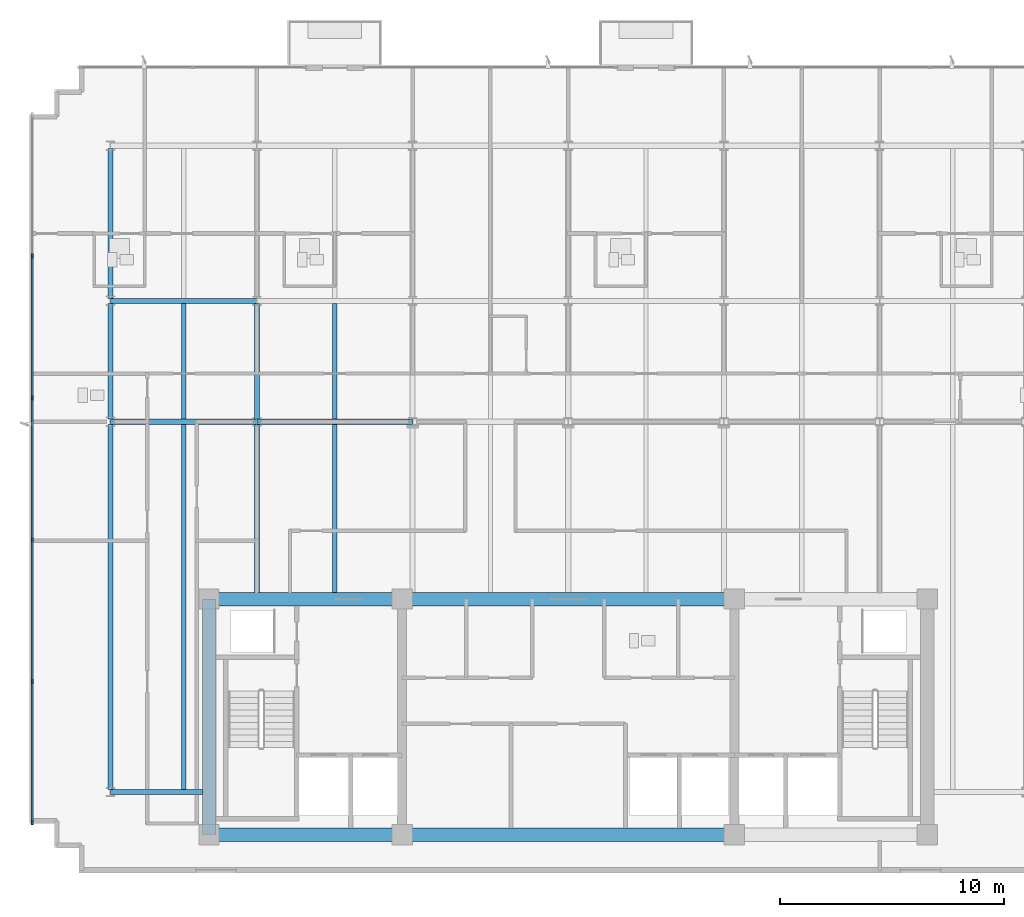
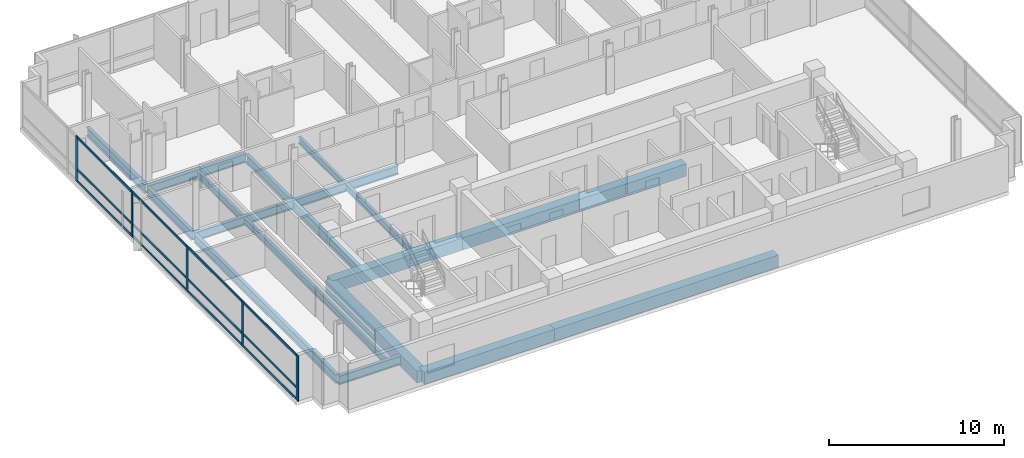
# One storey, part 2 of 15: 18 beams, 17 members, 1 element without a shape of its own.
"""IFC4 building model written with IfcOpenShell, lengths in metres."""

from ifc_helpers import new_model, si_unit, direction, frame, origin, origin_2d, place, context, subcontext, project, spatial, rectangle, i_section, extrude, material, material_profile, profile_set, type_object, element, aggregate, save


model = new_model("IFC4")

# Units and contexts
model_context = context("Model", 3, precision=1e-05, world=origin(), true_north=direction((0.0, 1.0)))
body_context = subcontext(model_context, "Body", "Model", "MODEL_VIEW")
ifc_project = project(units=[si_unit("LENGTHUNIT", "METRE"), si_unit("AREAUNIT", "SQUARE_METRE"), si_unit("VOLUMEUNIT", "CUBIC_METRE"), si_unit("PLANEANGLEUNIT", "RADIAN"), si_unit("MASSUNIT", "GRAM", prefix="KILO")], contexts=[model_context])

# Site, building, storey
site_placement = place(None, origin())
site = spatial("IfcSite", under=ifc_project, at=site_placement, CompositionType="ELEMENT")
building_placement = place(site_placement, origin())
building = spatial("IfcBuilding", under=site, at=building_placement, Name="Solmavex Isthmus Hotel", CompositionType="ELEMENT")
storey_placement = place(building_placement, frame((0.0, 0.0, 259.199951171875)))
storey = spatial("IfcBuildingStorey", under=building, at=storey_placement, Name="L70", CompositionType="ELEMENT", Elevation=259.199951171875)

# Beams
ifc_material_1 = material(Name="Steel ASTM A992 Grade 50", Category="steel")
ifc_material_profile_1 = material_profile(ifc_material_1, i_section(OverallWidth=0.1904296875, OverallDepth=0.456787109375, WebThickness=0.009033203125, FlangeThickness=0.014404296875, FilletRadius=0.0126953125, at=origin_2d()), Name="W18X50")
ifc_profile_set_1 = profile_set([ifc_material_profile_1], Name="Steel ASTM A992 Grade 50")
beam_type_1 = type_object("IfcBeamType", Name="BM-BJ-W18X50", PredefinedType="JOIST", material=ifc_profile_set_1)
beam_1_placement = place(storey_placement, frame((-17.135986328125, -10.98486328125, -0.48828125), z_axis=(0.0, 1.0, 0.0), x_axis=(-1.0, 0.0, 0.0)))
element("IfcBeam", 1, at=beam_1_placement, inside=storey, type_object=beam_type_1, Name="Secondary Floor Joist L70-J01", PredefinedType="JOIST", context=body_context, shape_type="SweptSolid", body=[
    extrude(i_section(OverallWidth=0.1904296875, OverallDepth=0.456787109375, WebThickness=0.009033203125, FlangeThickness=0.014404296875, FilletRadius=0.0126953125, at=origin_2d()), origin(), (0.0, 0.0, 1.0), 16.27099609375),
])
beam_2_placement = place(storey_placement, frame((-17.135986328125, 5.513916015625, -0.48828125), z_axis=(0.0, 1.0, 0.0), x_axis=(-1.0, 0.0, 0.0)))
element("IfcBeam", 2, at=beam_2_placement, inside=storey, type_object=beam_type_1, Name="Secondary Floor Joist L70-J02", PredefinedType="JOIST", context=body_context, shape_type="SweptSolid", body=[
    extrude(i_section(OverallWidth=0.1904296875, OverallDepth=0.456787109375, WebThickness=0.009033203125, FlangeThickness=0.014404296875, FilletRadius=0.0126953125, at=origin_2d()), origin(), (0.0, 0.0, 1.0), 5.16015625),
])
beam_3_placement = place(storey_placement, frame((-10.404052734375, -2.199951171875, -0.48828125), z_axis=(0.0, 1.0, 0.0), x_axis=(-1.0, 0.0, 0.0)))
element("IfcBeam", 3, at=beam_3_placement, inside=storey, type_object=beam_type_1, Name="Secondary Floor Joist L70-J04", PredefinedType="JOIST", context=body_context, shape_type="SweptSolid", body=[
    extrude(i_section(OverallWidth=0.1904296875, OverallDepth=0.456787109375, WebThickness=0.009033203125, FlangeThickness=0.014404296875, FilletRadius=0.0126953125, at=origin_2d()), origin(), (0.0, 0.0, 1.0), 7.486083984375),
])
beam_4_placement = place(storey_placement, frame((-10.404052734375, 5.513916015625, -0.48828125), z_axis=(0.0, 1.0, 0.0), x_axis=(-1.0, 0.0, 0.0)))
element("IfcBeam", 4, at=beam_4_placement, inside=storey, type_object=beam_type_1, Name="Secondary Floor Joist L70-J05", PredefinedType="JOIST", context=body_context, shape_type="SweptSolid", body=[
    extrude(i_section(OverallWidth=0.1904296875, OverallDepth=0.456787109375, WebThickness=0.009033203125, FlangeThickness=0.014404296875, FilletRadius=0.0126953125, at=origin_2d()), origin(), (0.0, 0.0, 1.0), 5.16015625),
])
ifc_material_profile_2 = material_profile(ifc_material_1, i_section(OverallWidth=0.227783203125, OverallDepth=0.602783203125, WebThickness=0.010498046875, FlangeThickness=0.014892578125, FilletRadius=0.01513671875, at=origin_2d()), Name="W24X68")
ifc_profile_set_2 = profile_set([ifc_material_profile_2], Name="Steel ASTM A992 Grade 50")
beam_type_2 = type_object("IfcBeamType", Name="BM-BM-W24X68", PredefinedType="BEAM", material=ifc_profile_set_2)
beam_5_placement = place(storey_placement, frame((-20.39990234375, 5.39990234375, -0.561279296875), z_axis=(1.0, 0.0, 0.0), x_axis=(0.0, 1.0, 0.0)))
element("IfcBeam", 5, at=beam_5_placement, inside=storey, type_object=beam_type_2, Name="Floor Girder L70-UG03", PredefinedType="BEAM", context=body_context, shape_type="SweptSolid", body=[
    extrude(i_section(OverallWidth=0.227783203125, OverallDepth=0.602783203125, WebThickness=0.010498046875, FlangeThickness=0.014892578125, FilletRadius=0.01513671875, at=origin_2d()), origin(), (0.0, 0.0, 1.0), 6.52783203125),
])
beam_6_placement = place(storey_placement, frame((-13.8720703125, 5.39990234375, -0.561279296875), z_axis=(1.0, 0.0, 0.0), x_axis=(0.0, 1.0, 0.0)))
element("IfcBeam", 6, at=beam_6_placement, inside=storey, type_object=beam_type_2, Name="Floor Girder L70-UG04", PredefinedType="BEAM", context=body_context, shape_type="SweptSolid", body=[
    extrude(i_section(OverallWidth=0.227783203125, OverallDepth=0.602783203125, WebThickness=0.010498046875, FlangeThickness=0.014892578125, FilletRadius=0.01513671875, at=origin_2d()), origin(), (0.0, 0.0, 1.0), 6.93603515625),
])
beam_7_placement = place(storey_placement, frame((-20.39990234375, 10.7880859375, -0.561279296875), z_axis=(1.0, 0.0, 0.0), x_axis=(0.0, 1.0, 0.0)))
element("IfcBeam", 7, at=beam_7_placement, inside=storey, type_object=beam_type_2, Name="Floor Girder L70-UG09", PredefinedType="BEAM", context=body_context, shape_type="SweptSolid", body=[
    extrude(i_section(OverallWidth=0.227783203125, OverallDepth=0.602783203125, WebThickness=0.010498046875, FlangeThickness=0.014892578125, FilletRadius=0.01513671875, at=origin_2d()), origin(), (0.0, 0.0, 1.0), 6.52783203125),
])
beam_8_placement = place(storey_placement, frame((-13.8720703125, -2.199951171875, -0.561279296875), z_axis=(0.0, 1.0, 0.0), x_axis=(-1.0, 0.0, 0.0)))
element("IfcBeam", 8, at=beam_8_placement, inside=storey, type_object=beam_type_2, Name="Floor Beam L70-VG24", PredefinedType="BEAM", context=body_context, shape_type="SweptSolid", body=[
    extrude(i_section(OverallWidth=0.227783203125, OverallDepth=0.602783203125, WebThickness=0.010498046875, FlangeThickness=0.014892578125, FilletRadius=0.01513671875, at=origin_2d()), origin(), (0.0, 0.0, 1.0), 7.486083984375),
])
beam_9_placement = place(storey_placement, frame((-13.8720703125, 5.513916015625, -0.561279296875), z_axis=(0.0, 1.0, 0.0), x_axis=(-1.0, 0.0, 0.0)))
element("IfcBeam", 9, at=beam_9_placement, inside=storey, type_object=beam_type_2, Name="Floor Beam L70-VG25", PredefinedType="BEAM", context=body_context, shape_type="SweptSolid", body=[
    extrude(i_section(OverallWidth=0.227783203125, OverallDepth=0.602783203125, WebThickness=0.010498046875, FlangeThickness=0.014892578125, FilletRadius=0.01513671875, at=origin_2d()), origin(), (0.0, 0.0, 1.0), 5.16015625),
])
ifc_material_2 = material(Name="Concrete C50/60", Category="concrete")
ifc_material_profile_3 = material_profile(ifc_material_2, rectangle(XDim=0.60009765625, YDim=0.85009765625, at=origin_2d()), Name="RC600X850")
ifc_profile_set_3 = profile_set([ifc_material_profile_3], Name="Concrete C50/60")
beam_type_3 = type_object("IfcBeamType", Name="BM-CB-600X850", PredefinedType="BEAM", material=ifc_profile_set_3)
beam_10_placement = place(storey_placement, frame((-16.0, -13.0, -0.68505859375), z_axis=(1.0, 0.0, 0.0), x_axis=(0.0, 1.0, 0.0)))
element("IfcBeam", 10, at=beam_10_placement, inside=storey, type_object=beam_type_3, Name="Core Coupling Beam L70-CB1", PredefinedType="BEAM", context=body_context, shape_type="SweptSolid", body=[
    extrude(rectangle(XDim=0.60009765625, YDim=0.85009765625, at=origin_2d()), origin(), (0.0, 0.0, 1.0), 8.60009765625),
])
beam_11_placement = place(storey_placement, frame((-7.39990234375, -13.0, -0.68505859375), z_axis=(1.0, 0.0, 0.0), x_axis=(0.0, 1.0, 0.0)))
element("IfcBeam", 11, at=beam_11_placement, inside=storey, type_object=beam_type_3, Name="Core Coupling Beam L70-CB2", PredefinedType="BEAM", context=body_context, shape_type="SweptSolid", body=[
    extrude(rectangle(XDim=0.60009765625, YDim=0.85009765625, at=origin_2d()), origin(), (0.0, 0.0, 1.0), 14.7998046875),
])
beam_12_placement = place(storey_placement, frame((-16.0, -2.5, -0.68505859375), z_axis=(1.0, 0.0, 0.0), x_axis=(0.0, 1.0, 0.0)))
element("IfcBeam", 12, at=beam_12_placement, inside=storey, type_object=beam_type_3, Name="Core Coupling Beam L70-CB4", PredefinedType="BEAM", context=body_context, shape_type="SweptSolid", body=[
    extrude(rectangle(XDim=0.60009765625, YDim=0.85009765625, at=origin_2d()), origin(), (0.0, 0.0, 1.0), 8.60009765625),
])
beam_13_placement = place(storey_placement, frame((-7.39990234375, -2.5, -0.68505859375), z_axis=(1.0, 0.0, 0.0), x_axis=(0.0, 1.0, 0.0)))
element("IfcBeam", 13, at=beam_13_placement, inside=storey, type_object=beam_type_3, Name="Core Coupling Beam L70-CB5", PredefinedType="BEAM", context=body_context, shape_type="SweptSolid", body=[
    extrude(rectangle(XDim=0.60009765625, YDim=0.85009765625, at=origin_2d()), origin(), (0.0, 0.0, 1.0), 14.7998046875),
])
beam_14_placement = place(storey_placement, frame((-16.0, -13.0, -0.68505859375), z_axis=(0.0, 1.0, 0.0), x_axis=(-1.0, 0.0, 0.0)))
element("IfcBeam", 14, at=beam_14_placement, inside=storey, type_object=beam_type_3, Name="Core Coupling Beam L70-CB7", PredefinedType="BEAM", context=body_context, shape_type="SweptSolid", body=[
    extrude(rectangle(XDim=0.60009765625, YDim=0.85009765625, at=origin_2d()), origin(), (0.0, 0.0, 1.0), 10.5),
])
ifc_material_profile_4 = material_profile(ifc_material_1, i_section(OverallWidth=0.230224609375, OverallDepth=0.617431640625, WebThickness=0.01318359375, FlangeThickness=0.022216796875, FilletRadius=0.01513671875, at=origin_2d()), Name="W24X94")
ifc_profile_set_4 = profile_set([ifc_material_profile_4], Name="Steel ASTM A992 Grade 50")
beam_type_4 = type_object("IfcBeamType", Name="BM-SP-W24X94", PredefinedType="SPANDREL", material=ifc_profile_set_4)
beam_15_placement = place(storey_placement, frame((-20.39990234375, -11.10009765625, -0.568603515625), z_axis=(1.0, 0.0, 0.0), x_axis=(0.0, 1.0, 0.0)))
element("IfcBeam", 15, at=beam_15_placement, inside=storey, type_object=beam_type_4, Name="Floor Girder L70-UG01", PredefinedType="SPANDREL", context=body_context, shape_type="SweptSolid", body=[
    extrude(i_section(OverallWidth=0.230224609375, OverallDepth=0.617431640625, WebThickness=0.01318359375, FlangeThickness=0.022216796875, FilletRadius=0.01513671875, at=origin_2d()), origin(), (0.0, 0.0, 1.0), 4.099853515625),
])
beam_16_placement = place(storey_placement, frame((-20.39990234375, -10.98486328125, -0.568603515625), z_axis=(0.0, 1.0, 0.0), x_axis=(-1.0, 0.0, 0.0)))
element("IfcBeam", 16, at=beam_16_placement, inside=storey, type_object=beam_type_4, Name="Floor Beam L70-VG21", PredefinedType="SPANDREL", context=body_context, shape_type="SweptSolid", body=[
    extrude(i_section(OverallWidth=0.230224609375, OverallDepth=0.617431640625, WebThickness=0.01318359375, FlangeThickness=0.022216796875, FilletRadius=0.01513671875, at=origin_2d()), origin(), (0.0, 0.0, 1.0), 16.27099609375),
])
beam_17_placement = place(storey_placement, frame((-20.39990234375, 5.513916015625, -0.568603515625), z_axis=(0.0, 1.0, 0.0), x_axis=(-1.0, 0.0, 0.0)))
element("IfcBeam", 17, at=beam_17_placement, inside=storey, type_object=beam_type_4, Name="Floor Beam L70-VG22", PredefinedType="SPANDREL", context=body_context, shape_type="SweptSolid", body=[
    extrude(i_section(OverallWidth=0.230224609375, OverallDepth=0.617431640625, WebThickness=0.01318359375, FlangeThickness=0.022216796875, FilletRadius=0.01513671875, at=origin_2d()), origin(), (0.0, 0.0, 1.0), 5.16015625),
])
beam_18_placement = place(storey_placement, frame((-20.39990234375, 10.90185546875, -0.568603515625), z_axis=(0.0, 1.0, 0.0), x_axis=(-1.0, 0.0, 0.0)))
element("IfcBeam", 18, at=beam_18_placement, inside=storey, type_object=beam_type_4, Name="Floor Beam L70-VG23", PredefinedType="SPANDREL", context=body_context, shape_type="SweptSolid", body=[
    extrude(i_section(OverallWidth=0.230224609375, OverallDepth=0.617431640625, WebThickness=0.01318359375, FlangeThickness=0.022216796875, FilletRadius=0.01513671875, at=origin_2d()), origin(), (0.0, 0.0, 1.0), 6.682861328125),
])

# Curtain wall, members
ifc_material_3 = material(Name="Aluminium alloy 6063-T6", Category="aluminium")
curtain_wall_type = type_object("IfcCurtainWallType", Name="CW-SYS-04", PredefinedType="NOTDEFINED", material=ifc_material_3)
curtain_wall_placement = place(storey_placement, origin())
curtain_wall = element("IfcCurtainWall", 19, at=curtain_wall_placement, inside=storey, type_object=curtain_wall_type, Name="Stick Curtain Wall CWL-L70-W1", PredefinedType="NOTDEFINED")
ifc_material_profile_5 = material_profile(ifc_material_3, rectangle(XDim=0.074951171875, YDim=0.199951171875, at=origin_2d()), Name="CWM-75X200")
ifc_profile_set_5 = profile_set([ifc_material_profile_5], Name="Aluminium alloy 6063-T6")
member_type_1 = type_object("IfcMemberType", Name="CW-SYS-04-MUL", PredefinedType="MULLION", material=ifc_profile_set_5)
member_1_placement = place(storey_placement, frame((-23.8798828125, -12.46240234375, 0.0), z_axis=(0.0, 0.0, 1.0), x_axis=(-1.0, 0.0, 0.0)))
member_1 = element("IfcMember", 20, at=member_1_placement, type_object=member_type_1, Name="CW-04 mullion 1", PredefinedType="MULLION", context=body_context, shape_type="SweptSolid", body=[
    extrude(rectangle(XDim=0.074951171875, YDim=0.199951171875, at=origin_2d()), origin(), (0.0, 0.0, 1.0), 3.18994140625),
])
member_2_placement = place(storey_placement, frame((-23.8798828125, -6.179931640625, 0.0), z_axis=(0.0, 0.0, 1.0), x_axis=(-1.0, 0.0, 0.0)))
member_2 = element("IfcMember", 21, at=member_2_placement, type_object=member_type_1, Name="CW-04 mullion 2", PredefinedType="MULLION", context=body_context, shape_type="SweptSolid", body=[
    extrude(rectangle(XDim=0.074951171875, YDim=0.199951171875, at=origin_2d()), origin(), (0.0, 0.0, 1.0), 3.18994140625),
])
member_3_placement = place(storey_placement, frame((-23.8798828125, 0.139892578125, 0.0), z_axis=(0.0, 0.0, 1.0), x_axis=(-1.0, 0.0, 0.0)))
member_3 = element("IfcMember", 22, at=member_3_placement, type_object=member_type_1, Name="CW-04 mullion 3", PredefinedType="MULLION", context=body_context, shape_type="SweptSolid", body=[
    extrude(rectangle(XDim=0.074951171875, YDim=0.199951171875, at=origin_2d()), origin(), (0.0, 0.0, 1.0), 3.18994140625),
])
member_4_placement = place(storey_placement, frame((-23.8798828125, 6.4599609375, 0.0), z_axis=(0.0, 0.0, 1.0), x_axis=(-1.0, 0.0, 0.0)))
member_4 = element("IfcMember", 23, at=member_4_placement, type_object=member_type_1, Name="CW-04 mullion 4", PredefinedType="MULLION", context=body_context, shape_type="SweptSolid", body=[
    extrude(rectangle(XDim=0.074951171875, YDim=0.199951171875, at=origin_2d()), origin(), (0.0, 0.0, 1.0), 3.18994140625),
])
member_5_placement = place(storey_placement, frame((-23.8798828125, 12.780029296875, 0.0), z_axis=(0.0, 0.0, 1.0), x_axis=(-1.0, 0.0, 0.0)))
member_5 = element("IfcMember", 24, at=member_5_placement, type_object=member_type_1, Name="CW-04 mullion 5", PredefinedType="MULLION", context=body_context, shape_type="SweptSolid", body=[
    extrude(rectangle(XDim=0.074951171875, YDim=0.199951171875, at=origin_2d()), origin(), (0.0, 0.0, 1.0), 3.18994140625),
])
ifc_material_profile_6 = material_profile(ifc_material_3, rectangle(XDim=0.074951171875, YDim=0.14990234375, at=origin_2d()), Name="CWT-75X150")
ifc_profile_set_6 = profile_set([ifc_material_profile_6], Name="Aluminium alloy 6063-T6")
member_type_2 = type_object("IfcMemberType", Name="CW-SYS-04-TRN", PredefinedType="USERDEFINED", material=ifc_profile_set_6)
member_6_placement = place(storey_placement, frame((-23.8798828125, -12.425048828125, 0.074951171875), z_axis=(0.0, 1.0, 0.0), x_axis=(-1.0, 0.0, 0.0)))
member_6 = element("IfcMember", 25, at=member_6_placement, type_object=member_type_2, Name="CW-04 transom 1.1", ObjectType="TRANSOM", PredefinedType="USERDEFINED", context=body_context, shape_type="SweptSolid", body=[
    extrude(rectangle(XDim=0.074951171875, YDim=0.14990234375, at=origin_2d()), origin(), (0.0, 0.0, 1.0), 6.20751953125),
])
member_7_placement = place(storey_placement, frame((-23.8798828125, -12.425048828125, 0.900146484375), z_axis=(0.0, 1.0, 0.0), x_axis=(-1.0, 0.0, 0.0)))
member_7 = element("IfcMember", 26, at=member_7_placement, type_object=member_type_2, Name="CW-04 transom 1.2", ObjectType="TRANSOM", PredefinedType="USERDEFINED", context=body_context, shape_type="SweptSolid", body=[
    extrude(rectangle(XDim=0.074951171875, YDim=0.14990234375, at=origin_2d()), origin(), (0.0, 0.0, 1.0), 6.20751953125),
])
member_8_placement = place(storey_placement, frame((-23.8798828125, -12.425048828125, 3.114990234375), z_axis=(0.0, 1.0, 0.0), x_axis=(-1.0, 0.0, 0.0)))
member_8 = element("IfcMember", 27, at=member_8_placement, type_object=member_type_2, Name="CW-04 transom 1.3", ObjectType="TRANSOM", PredefinedType="USERDEFINED", context=body_context, shape_type="SweptSolid", body=[
    extrude(rectangle(XDim=0.074951171875, YDim=0.14990234375, at=origin_2d()), origin(), (0.0, 0.0, 1.0), 6.20751953125),
])
member_9_placement = place(storey_placement, frame((-23.8798828125, -6.142578125, 0.074951171875), z_axis=(0.0, 1.0, 0.0), x_axis=(-1.0, 0.0, 0.0)))
member_9 = element("IfcMember", 28, at=member_9_placement, type_object=member_type_2, Name="CW-04 transom 2.1", ObjectType="TRANSOM", PredefinedType="USERDEFINED", context=body_context, shape_type="SweptSolid", body=[
    extrude(rectangle(XDim=0.074951171875, YDim=0.14990234375, at=origin_2d()), origin(), (0.0, 0.0, 1.0), 6.2451171875),
])
member_10_placement = place(storey_placement, frame((-23.8798828125, -6.142578125, 0.900146484375), z_axis=(0.0, 1.0, 0.0), x_axis=(-1.0, 0.0, 0.0)))
member_10 = element("IfcMember", 29, at=member_10_placement, type_object=member_type_2, Name="CW-04 transom 2.2", ObjectType="TRANSOM", PredefinedType="USERDEFINED", context=body_context, shape_type="SweptSolid", body=[
    extrude(rectangle(XDim=0.074951171875, YDim=0.14990234375, at=origin_2d()), origin(), (0.0, 0.0, 1.0), 6.2451171875),
])
member_11_placement = place(storey_placement, frame((-23.8798828125, -6.142578125, 3.114990234375), z_axis=(0.0, 1.0, 0.0), x_axis=(-1.0, 0.0, 0.0)))
member_11 = element("IfcMember", 30, at=member_11_placement, type_object=member_type_2, Name="CW-04 transom 2.3", ObjectType="TRANSOM", PredefinedType="USERDEFINED", context=body_context, shape_type="SweptSolid", body=[
    extrude(rectangle(XDim=0.074951171875, YDim=0.14990234375, at=origin_2d()), origin(), (0.0, 0.0, 1.0), 6.2451171875),
])
member_12_placement = place(storey_placement, frame((-23.8798828125, 0.177490234375, 0.074951171875), z_axis=(0.0, 1.0, 0.0), x_axis=(-1.0, 0.0, 0.0)))
member_12 = element("IfcMember", 31, at=member_12_placement, type_object=member_type_2, Name="CW-04 transom 3.1", ObjectType="TRANSOM", PredefinedType="USERDEFINED", context=body_context, shape_type="SweptSolid", body=[
    extrude(rectangle(XDim=0.074951171875, YDim=0.14990234375, at=origin_2d()), origin(), (0.0, 0.0, 1.0), 6.2451171875),
])
member_13_placement = place(storey_placement, frame((-23.8798828125, 0.177490234375, 0.900146484375), z_axis=(0.0, 1.0, 0.0), x_axis=(-1.0, 0.0, 0.0)))
member_13 = element("IfcMember", 32, at=member_13_placement, type_object=member_type_2, Name="CW-04 transom 3.2", ObjectType="TRANSOM", PredefinedType="USERDEFINED", context=body_context, shape_type="SweptSolid", body=[
    extrude(rectangle(XDim=0.074951171875, YDim=0.14990234375, at=origin_2d()), origin(), (0.0, 0.0, 1.0), 6.2451171875),
])
member_14_placement = place(storey_placement, frame((-23.8798828125, 0.177490234375, 3.114990234375), z_axis=(0.0, 1.0, 0.0), x_axis=(-1.0, 0.0, 0.0)))
member_14 = element("IfcMember", 33, at=member_14_placement, type_object=member_type_2, Name="CW-04 transom 3.3", ObjectType="TRANSOM", PredefinedType="USERDEFINED", context=body_context, shape_type="SweptSolid", body=[
    extrude(rectangle(XDim=0.074951171875, YDim=0.14990234375, at=origin_2d()), origin(), (0.0, 0.0, 1.0), 6.2451171875),
])
member_15_placement = place(storey_placement, frame((-23.8798828125, 6.49755859375, 0.074951171875), z_axis=(0.0, 1.0, 0.0), x_axis=(-1.0, 0.0, 0.0)))
member_15 = element("IfcMember", 34, at=member_15_placement, type_object=member_type_2, Name="CW-04 transom 4.1", ObjectType="TRANSOM", PredefinedType="USERDEFINED", context=body_context, shape_type="SweptSolid", body=[
    extrude(rectangle(XDim=0.074951171875, YDim=0.14990234375, at=origin_2d()), origin(), (0.0, 0.0, 1.0), 6.244873046875),
])
member_16_placement = place(storey_placement, frame((-23.8798828125, 6.49755859375, 0.900146484375), z_axis=(0.0, 1.0, 0.0), x_axis=(-1.0, 0.0, 0.0)))
member_16 = element("IfcMember", 35, at=member_16_placement, type_object=member_type_2, Name="CW-04 transom 4.2", ObjectType="TRANSOM", PredefinedType="USERDEFINED", context=body_context, shape_type="SweptSolid", body=[
    extrude(rectangle(XDim=0.074951171875, YDim=0.14990234375, at=origin_2d()), origin(), (0.0, 0.0, 1.0), 6.244873046875),
])
member_17_placement = place(storey_placement, frame((-23.8798828125, 6.49755859375, 3.114990234375), z_axis=(0.0, 1.0, 0.0), x_axis=(-1.0, 0.0, 0.0)))
member_17 = element("IfcMember", 36, at=member_17_placement, type_object=member_type_2, Name="CW-04 transom 4.3", ObjectType="TRANSOM", PredefinedType="USERDEFINED", context=body_context, shape_type="SweptSolid", body=[
    extrude(rectangle(XDim=0.074951171875, YDim=0.14990234375, at=origin_2d()), origin(), (0.0, 0.0, 1.0), 6.244873046875),
])
aggregate(curtain_wall, [member_1, member_2, member_3, member_4, member_5, member_6, member_7, member_8, member_9, member_10, member_11, member_12, member_13, member_14, member_15, member_16, member_17])

save(model, "model.ifc")
